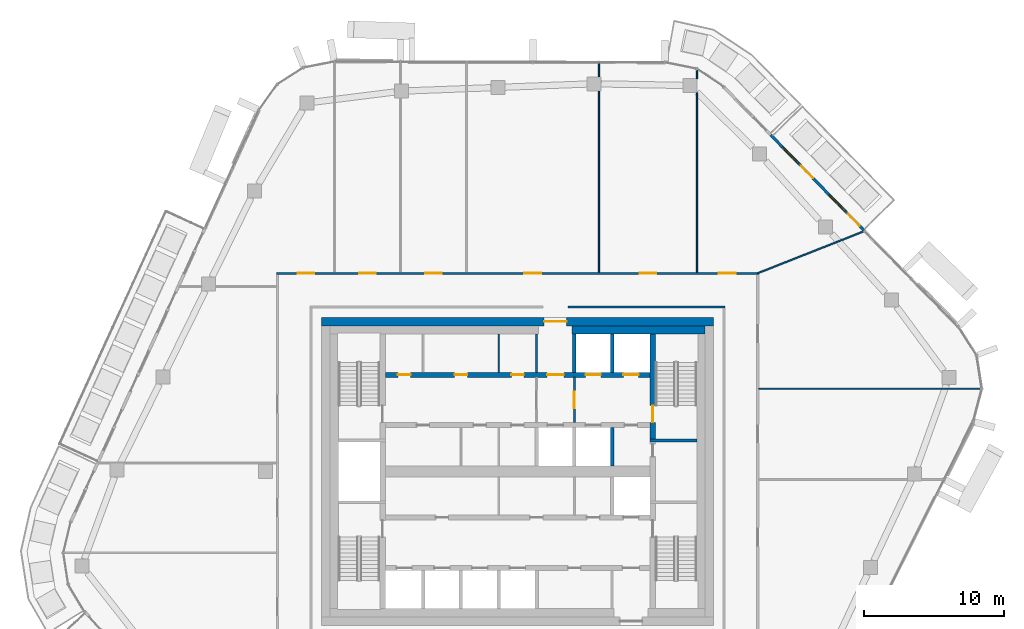
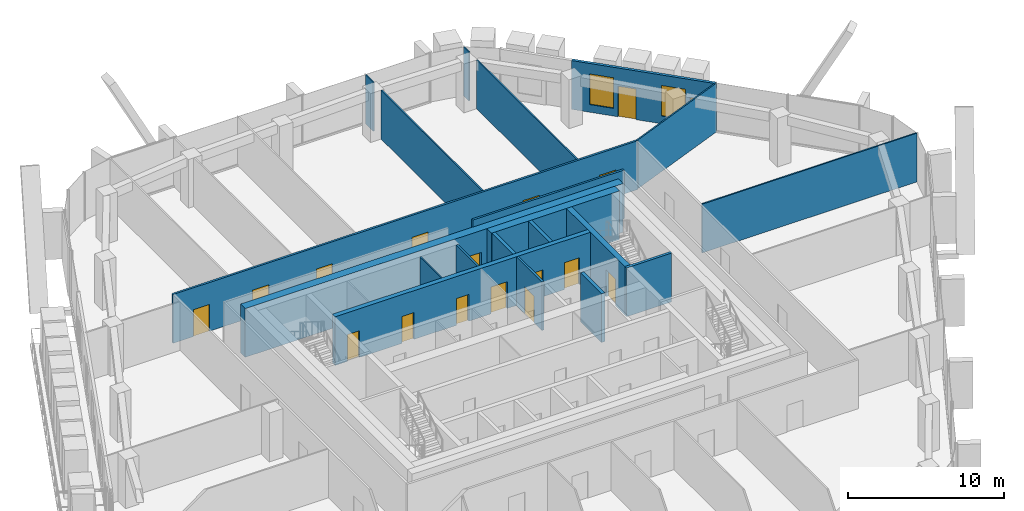
# One storey, part 16 of 24: 20 walls, 17 doors, 2 windows, 19 openings.
"""IFC4 building model written with IfcOpenShell, lengths in metres."""

from ifc_helpers import new_model, si_unit, direction, frame, frame_2d, origin, place, context, subcontext, project, spatial, rectangle, extrude, material, layer, layer_set, type_object, element, fill, save


model = new_model("IFC4")

# Units and contexts
model_context = context("Model", 3, precision=1e-05, world=origin(), true_north=direction((0.0, 1.0)))
body_context = subcontext(model_context, "Body", "Model", "MODEL_VIEW")
ifc_project = project(units=[si_unit("LENGTHUNIT", "METRE"), si_unit("AREAUNIT", "SQUARE_METRE"), si_unit("VOLUMEUNIT", "CUBIC_METRE"), si_unit("PLANEANGLEUNIT", "RADIAN"), si_unit("MASSUNIT", "GRAM", prefix="KILO")], contexts=[model_context])

# Site, building, storey
site_placement = place(None, origin())
site = spatial("IfcSite", under=ifc_project, at=site_placement, CompositionType="ELEMENT")
building_placement = place(site_placement, origin())
building = spatial("IfcBuilding", under=site, at=building_placement, Name="Dongbaek Canopy Tower", CompositionType="ELEMENT")
storey_placement = place(building_placement, frame((0.0, 0.0, 311.0)))
storey = spatial("IfcBuildingStorey", under=building, at=storey_placement, Name="L66", CompositionType="ELEMENT", Elevation=311.0)

# Wall, openings, doors
ifc_material_1 = material(Name="Concrete C60/75", Category="concrete")
ifc_layer_1 = layer(ifc_material_1, 0.35009765625)
ifc_layer_set_1 = layer_set([ifc_layer_1], Name="Core lobby wall 350 Concrete C60/75")
wall_type_1 = type_object("IfcWallType", Name="Core lobby wall 350 Concrete C60/75", PredefinedType="SHEAR", material=ifc_layer_set_1)
wall_1_placement = place(storey_placement, frame((-9.449951171875, 6.89990234375, 0.0), z_axis=(0.0, 0.0, 1.0), x_axis=(1.0, 0.0, 0.0)))
wall_1 = element("IfcWall", 1, at=wall_1_placement, inside=storey, type_object=wall_type_1, Name="Core wall", PredefinedType="SHEAR", context=body_context, shape_type="SweptSolid", body=[
    extrude(rectangle(XDim=18.89990234375, YDim=0.35009765625, at=frame_2d((9.449951171875, 0.0))), origin(), (0.0, 0.0, 1.0), 3.820068359375),
])
opening_1_placement = place(wall_1_placement, frame((11.550048828125, 0.0, 0.0)))
opening_1 = element("IfcOpeningElement", 2, at=opening_1_placement, cuts=wall_1, Name="Opening L66-D021", PredefinedType="OPENING", context=body_context, shape_type="SweptSolid", body=[
    extrude(rectangle(XDim=1.199951171875, YDim=2.10009765625, at=frame_2d((0.60009765625, 1.050048828125))), frame((0.0, 0.18505859375, 0.0), z_axis=(0.0, -1.0, 0.0), x_axis=(1.0, 0.0, 0.0)), (0.0, 0.0, 1.0), 0.3701171875),
])
opening_2_placement = place(wall_1_placement, frame((14.300048828125, 0.0, 0.0)))
opening_2 = element("IfcOpeningElement", 3, at=opening_2_placement, cuts=wall_1, Name="Opening L66-D022", PredefinedType="OPENING", context=body_context, shape_type="SweptSolid", body=[
    extrude(rectangle(XDim=1.10009765625, YDim=2.10009765625, at=frame_2d((0.550048828125, 1.050048828125))), frame((0.0, 0.18505859375, 0.0), z_axis=(0.0, -1.0, 0.0), x_axis=(1.0, 0.0, 0.0)), (0.0, 0.0, 1.0), 0.3701171875),
])
opening_3_placement = place(wall_1_placement, frame((17.0, 0.0, 0.0)))
opening_3 = element("IfcOpeningElement", 4, at=opening_3_placement, cuts=wall_1, Name="Opening L66-D023", PredefinedType="OPENING", context=body_context, shape_type="SweptSolid", body=[
    extrude(rectangle(XDim=1.10009765625, YDim=2.10009765625, at=frame_2d((0.550048828125, 1.050048828125))), frame((0.0, 0.18505859375, 0.0), z_axis=(0.0, -1.0, 0.0), x_axis=(1.0, 0.0, 0.0)), (0.0, 0.0, 1.0), 0.3701171875),
])
opening_4_placement = place(wall_1_placement, frame((0.89990234375, 0.0, 0.0)))
opening_4 = element("IfcOpeningElement", 5, at=opening_4_placement, cuts=wall_1, Name="Opening L66-D034", PredefinedType="OPENING", context=body_context, shape_type="SweptSolid", body=[
    extrude(rectangle(XDim=0.89990234375, YDim=2.10009765625, at=frame_2d((0.449951171875, 1.050048828125))), frame((0.0, 0.18505859375, 0.0), z_axis=(0.0, -1.0, 0.0), x_axis=(1.0, 0.0, 0.0)), (0.0, 0.0, 1.0), 0.3701171875),
])
opening_5_placement = place(wall_1_placement, frame((4.949951171875, 0.0, 0.0)))
opening_5 = element("IfcOpeningElement", 6, at=opening_5_placement, cuts=wall_1, Name="Opening L66-D035", PredefinedType="OPENING", context=body_context, shape_type="SweptSolid", body=[
    extrude(rectangle(XDim=0.89990234375, YDim=2.10009765625, at=frame_2d((0.449951171875, 1.050048828125))), frame((0.0, 0.18505859375, 0.0), z_axis=(0.0, -1.0, 0.0), x_axis=(1.0, 0.0, 0.0)), (0.0, 0.0, 1.0), 0.3701171875),
])
opening_6_placement = place(wall_1_placement, frame((9.0, 0.0, 0.0)))
opening_6 = element("IfcOpeningElement", 7, at=opening_6_placement, cuts=wall_1, Name="Opening L66-D036", PredefinedType="OPENING", context=body_context, shape_type="SweptSolid", body=[
    extrude(rectangle(XDim=0.89990234375, YDim=2.10009765625, at=frame_2d((0.449951171875, 1.050048828125))), frame((0.0, 0.18505859375, 0.0), z_axis=(0.0, -1.0, 0.0), x_axis=(1.0, 0.0, 0.0)), (0.0, 0.0, 1.0), 0.3701171875),
])
ifc_material_2 = material(Name="Steel", Category="steel")
door_type_1 = type_object("IfcDoorType", Name="Core room door 900 x 2100", OperationType="SINGLE_SWING_LEFT", PredefinedType="DOOR", material=ifc_material_2)
door_1_placement = place(opening_4_placement, origin())
door_1 = element("IfcDoor", 8, at=door_1_placement, inside=storey, type_object=door_type_1, Name="Door L66-D034", OperationType="SINGLE_SWING_RIGHT", OverallHeight=2.10009765625, OverallWidth=0.89990234375, PredefinedType="DOOR", context=body_context, shape_type="SweptSolid", body=[
    extrude(rectangle(XDim=0.89990234375, YDim=2.10009765625, at=frame_2d((0.449951171875, 1.050048828125))), frame((0.0, 0.02490234375, 0.0), z_axis=(0.0, -1.0, 0.0), x_axis=(1.0, 0.0, 0.0)), (0.0, 0.0, 1.0), 0.050048828125),
])
fill(opening_4, door_1)
door_2_placement = place(opening_5_placement, origin())
door_2 = element("IfcDoor", 9, at=door_2_placement, inside=storey, type_object=door_type_1, Name="Door L66-D035", OperationType="SINGLE_SWING_LEFT", OverallHeight=2.10009765625, OverallWidth=0.89990234375, PredefinedType="DOOR", context=body_context, shape_type="SweptSolid", body=[
    extrude(rectangle(XDim=0.89990234375, YDim=2.10009765625, at=frame_2d((0.449951171875, 1.050048828125))), frame((0.0, 0.02490234375, 0.0), z_axis=(0.0, -1.0, 0.0), x_axis=(1.0, 0.0, 0.0)), (0.0, 0.0, 1.0), 0.050048828125),
])
fill(opening_5, door_2)
door_3_placement = place(opening_6_placement, origin())
door_3 = element("IfcDoor", 10, at=door_3_placement, inside=storey, type_object=door_type_1, Name="Door L66-D036", OperationType="SINGLE_SWING_RIGHT", OverallHeight=2.10009765625, OverallWidth=0.89990234375, PredefinedType="DOOR", context=body_context, shape_type="SweptSolid", body=[
    extrude(rectangle(XDim=0.89990234375, YDim=2.10009765625, at=frame_2d((0.449951171875, 1.050048828125))), frame((0.0, 0.02490234375, 0.0), z_axis=(0.0, -1.0, 0.0), x_axis=(1.0, 0.0, 0.0)), (0.0, 0.0, 1.0), 0.050048828125),
])
fill(opening_6, door_3)
ifc_material_3 = material(Name="Steel", Category="steel")
door_type_2 = type_object("IfcDoorType", Name="Fire lobby door 1200 x 2100", OperationType="SINGLE_SWING_LEFT", PredefinedType="DOOR", material=ifc_material_3)
door_4_placement = place(opening_1_placement, origin())
door_4 = element("IfcDoor", 11, at=door_4_placement, inside=storey, type_object=door_type_2, Name="Door L66-D021", OperationType="SINGLE_SWING_LEFT", OverallHeight=2.10009765625, OverallWidth=1.199951171875, PredefinedType="DOOR", context=body_context, shape_type="SweptSolid", body=[
    extrude(rectangle(XDim=1.199951171875, YDim=2.10009765625, at=frame_2d((0.60009765625, 1.050048828125))), frame((0.0, 0.02490234375, 0.0), z_axis=(0.0, -1.0, 0.0), x_axis=(1.0, 0.0, 0.0)), (0.0, 0.0, 1.0), 0.050048828125),
])
fill(opening_1, door_4)
ifc_material_4 = material(Name="Stainless steel", Category="steel")
door_type_3 = type_object("IfcDoorType", Name="Lift landing door 1100 x 2100", OperationType="DOUBLE_DOOR_SLIDING", PredefinedType="DOOR", material=ifc_material_4)
door_5_placement = place(opening_2_placement, origin())
door_5 = element("IfcDoor", 12, at=door_5_placement, inside=storey, type_object=door_type_3, Name="Landing door FF1", OperationType="DOUBLE_DOOR_SLIDING", OverallHeight=2.10009765625, OverallWidth=1.10009765625, PredefinedType="DOOR", context=body_context, shape_type="SweptSolid", body=[
    extrude(rectangle(XDim=1.10009765625, YDim=2.10009765625, at=frame_2d((0.550048828125, 1.050048828125))), frame((0.0, 0.02490234375, 0.0), z_axis=(0.0, -1.0, 0.0), x_axis=(1.0, 0.0, 0.0)), (0.0, 0.0, 1.0), 0.050048828125),
])
fill(opening_2, door_5)
door_6_placement = place(opening_3_placement, origin())
door_6 = element("IfcDoor", 13, at=door_6_placement, inside=storey, type_object=door_type_3, Name="Landing door FF2", OperationType="DOUBLE_DOOR_SLIDING", OverallHeight=2.10009765625, OverallWidth=1.10009765625, PredefinedType="DOOR", context=body_context, shape_type="SweptSolid", body=[
    extrude(rectangle(XDim=1.10009765625, YDim=2.10009765625, at=frame_2d((0.550048828125, 1.050048828125))), frame((0.0, 0.02490234375, 0.0), z_axis=(0.0, -1.0, 0.0), x_axis=(1.0, 0.0, 0.0)), (0.0, 0.0, 1.0), 0.050048828125),
])
fill(opening_3, door_6)

# Wall, opening, door
ifc_material_5 = material(Name="Concrete C80/95", Category="concrete")
ifc_layer_2 = layer(ifc_material_5, 0.60009765625)
ifc_layer_set_2 = layer_set([ifc_layer_2], Name="Core outer wall 600 Concrete C80/95")
wall_type_2 = type_object("IfcWallType", Name="Core outer wall 600 Concrete C80/95", PredefinedType="SHEAR", material=ifc_layer_set_2)
wall_2_placement = place(storey_placement, frame((-14.0, 10.699951171875, 0.0), z_axis=(0.0, 0.0, 1.0), x_axis=(1.0, 0.0, 0.0)))
wall_2 = element("IfcWall", 14, at=wall_2_placement, inside=storey, type_object=wall_type_2, Name="Core wall", PredefinedType="SHEAR", context=body_context, shape_type="SweptSolid", body=[
    extrude(rectangle(XDim=28.0, YDim=0.60009765625, at=frame_2d((14.0, 0.0))), origin(), (0.0, 0.0, 1.0), 3.820068359375),
])
opening_7_placement = place(wall_2_placement, frame((15.89990234375, 0.0, 0.0)))
opening_7 = element("IfcOpeningElement", 15, at=opening_7_placement, cuts=wall_2, Name="Opening L66-D020", PredefinedType="OPENING", context=body_context, shape_type="SweptSolid", body=[
    extrude(rectangle(XDim=1.60009765625, YDim=2.10009765625, at=frame_2d((0.800048828125, 1.050048828125))), frame((0.0, 0.31005859375, 0.0), z_axis=(0.0, -1.0, 0.0), x_axis=(1.0, 0.0, 0.0)), (0.0, 0.0, 1.0), 0.6201171875),
])
ifc_material_6 = material(Name="Steel", Category="steel")
door_type_4 = type_object("IfcDoorType", Name="Core exit door 1600 x 2100", OperationType="DOUBLE_DOOR_SINGLE_SWING", PredefinedType="DOOR", material=ifc_material_6)
door_7_placement = place(opening_7_placement, origin())
door_7 = element("IfcDoor", 16, at=door_7_placement, inside=storey, type_object=door_type_4, Name="Core exit door", OperationType="DOUBLE_DOOR_SINGLE_SWING", OverallHeight=2.10009765625, OverallWidth=1.60009765625, PredefinedType="DOOR", context=body_context, shape_type="SweptSolid", body=[
    extrude(rectangle(XDim=1.60009765625, YDim=2.10009765625, at=frame_2d((0.800048828125, 1.050048828125))), frame((0.0, 0.02490234375, 0.0), z_axis=(0.0, -1.0, 0.0), x_axis=(1.0, 0.0, 0.0)), (0.0, 0.0, 1.0), 0.050048828125),
])
fill(opening_7, door_7)

# Walls
ifc_material_7 = material(Name="Concrete C60/75", Category="concrete")
ifc_layer_3 = layer(ifc_material_7, 0.60009765625)
ifc_layer_set_3 = layer_set([ifc_layer_3], Name="Core wall lining 600 Concrete C60/75")
wall_type_3 = type_object("IfcWallType", Name="Core wall lining 600 Concrete C60/75", PredefinedType="SHEAR", material=ifc_layer_set_3)
wall_3_placement = place(storey_placement, frame((3.89990234375, 10.10009765625, 0.0), z_axis=(0.0, 0.0, 1.0), x_axis=(1.0, 0.0, 0.0)))
element("IfcWall", 17, at=wall_3_placement, inside=storey, type_object=wall_type_3, Name="Core wall lining", PredefinedType="SHEAR", context=body_context, shape_type="SweptSolid", body=[
    extrude(rectangle(XDim=9.5, YDim=0.60009765625, at=frame_2d((4.75, 0.0))), origin(), (0.0, 0.0, 1.0), 3.820068359375),
])
ifc_material_8 = material(Name="Gypsum board partition, steel stud, 2 x 15 mm fire board", Category="steel")
ifc_layer_4 = layer(ifc_material_8, 0.14990234375)
ifc_layer_set_4 = layer_set([ifc_layer_4], Name="Fire-rated partition 150 gypsum board")
wall_type_4 = type_object("IfcWallType", Name="Fire-rated partition 150 gypsum board", PredefinedType="PARTITIONING", material=ifc_layer_set_4)
wall_4_placement = place(storey_placement, frame((3.60009765625, 11.75, 0.0), z_axis=(0.0, 0.0, 1.0), x_axis=(1.0, 0.0, 0.0)))
element("IfcWall", 18, at=wall_4_placement, inside=storey, type_object=wall_type_4, Name="Corridor partition", PredefinedType="PARTITIONING", context=body_context, shape_type="SweptSolid", body=[
    extrude(rectangle(XDim=11.224853515625, YDim=0.14990234375, at=frame_2d((5.6123046875, 0.0))), origin(), (0.0, 0.0, 1.0), 3.820068359375),
])

# Wall, openings, doors
wall_5_placement = place(storey_placement, frame((-17.22509765625, 14.14990234375, 0.0), z_axis=(0.0, 0.0, 1.0), x_axis=(1.0, 0.0, 0.0)))
wall_5 = element("IfcWall", 19, at=wall_5_placement, inside=storey, type_object=wall_type_4, Name="Corridor partition", PredefinedType="PARTITIONING", context=body_context, shape_type="SweptSolid", body=[
    extrude(rectangle(XDim=34.4501953125, YDim=0.14990234375, at=frame_2d((17.22509765625, 0.0))), origin(), (0.0, 0.0, 1.0), 3.820068359375),
])
opening_8_placement = place(wall_5_placement, frame((31.60693359375, 0.0, 0.0)))
opening_8 = element("IfcOpeningElement", 20, at=opening_8_placement, cuts=wall_5, Name="Opening L66-D012", PredefinedType="OPENING", context=body_context, shape_type="SweptSolid", body=[
    extrude(rectangle(XDim=1.199951171875, YDim=2.10009765625, at=frame_2d((0.60009765625, 1.050048828125))), frame((0.0, 0.0849609375, 0.0), z_axis=(0.0, -1.0, 0.0), x_axis=(1.0, 0.0, 0.0)), (0.0, 0.0, 1.0), 0.169921875),
])
opening_9_placement = place(wall_5_placement, frame((25.935791015625, 0.0, 0.0)))
opening_9 = element("IfcOpeningElement", 21, at=opening_9_placement, cuts=wall_5, Name="Opening L66-D013", PredefinedType="OPENING", context=body_context, shape_type="SweptSolid", body=[
    extrude(rectangle(XDim=1.199951171875, YDim=2.10009765625, at=frame_2d((0.60009765625, 1.050048828125))), frame((0.0, 0.0849609375, 0.0), z_axis=(0.0, -1.0, 0.0), x_axis=(1.0, 0.0, 0.0)), (0.0, 0.0, 1.0), 0.169921875),
])
opening_10_placement = place(wall_5_placement, frame((17.70654296875, 0.0, 0.0)))
opening_10 = element("IfcOpeningElement", 22, at=opening_10_placement, cuts=wall_5, Name="Opening L66-D014", PredefinedType="OPENING", context=body_context, shape_type="SweptSolid", body=[
    extrude(rectangle(XDim=1.199951171875, YDim=2.10009765625, at=frame_2d((0.60009765625, 1.050048828125))), frame((0.0, 0.0849609375, 0.0), z_axis=(0.0, -1.0, 0.0), x_axis=(1.0, 0.0, 0.0)), (0.0, 0.0, 1.0), 0.169921875),
])
opening_11_placement = place(wall_5_placement, frame((10.6171875, 0.0, 0.0)))
opening_11 = element("IfcOpeningElement", 23, at=opening_11_placement, cuts=wall_5, Name="Opening L66-D015", PredefinedType="OPENING", context=body_context, shape_type="SweptSolid", body=[
    extrude(rectangle(XDim=1.199951171875, YDim=2.10009765625, at=frame_2d((0.60009765625, 1.050048828125))), frame((0.0, 0.0849609375, 0.0), z_axis=(0.0, -1.0, 0.0), x_axis=(1.0, 0.0, 0.0)), (0.0, 0.0, 1.0), 0.169921875),
])
opening_12_placement = place(wall_5_placement, frame((5.89599609375, 0.0, 0.0)))
opening_12 = element("IfcOpeningElement", 24, at=opening_12_placement, cuts=wall_5, Name="Opening L66-D016", PredefinedType="OPENING", context=body_context, shape_type="SweptSolid", body=[
    extrude(rectangle(XDim=1.199951171875, YDim=2.10009765625, at=frame_2d((0.60009765625, 1.050048828125))), frame((0.0, 0.0849609375, 0.0), z_axis=(0.0, -1.0, 0.0), x_axis=(1.0, 0.0, 0.0)), (0.0, 0.0, 1.0), 0.169921875),
])
opening_13_placement = place(wall_5_placement, frame((1.50634765625, 0.0, 0.0)))
opening_13 = element("IfcOpeningElement", 25, at=opening_13_placement, cuts=wall_5, Name="Opening L66-D017", PredefinedType="OPENING", context=body_context, shape_type="SweptSolid", body=[
    extrude(rectangle(XDim=1.199951171875, YDim=2.10009765625, at=frame_2d((0.60009765625, 1.050048828125))), frame((0.0, 0.0849609375, 0.0), z_axis=(0.0, -1.0, 0.0), x_axis=(1.0, 0.0, 0.0)), (0.0, 0.0, 1.0), 0.169921875),
])
ifc_material_9 = material(Name="Timber veneered door leaf", Category="wood")
door_type_5 = type_object("IfcDoorType", Name="Room door 1200 x 2100", OperationType="SINGLE_SWING_LEFT", PredefinedType="DOOR", material=ifc_material_9)
door_8_placement = place(opening_8_placement, origin())
door_8 = element("IfcDoor", 26, at=door_8_placement, inside=storey, type_object=door_type_5, Name="Door L66-D012", OperationType="SINGLE_SWING_LEFT", OverallHeight=2.10009765625, OverallWidth=1.199951171875, PredefinedType="DOOR", context=body_context, shape_type="SweptSolid", body=[
    extrude(rectangle(XDim=1.199951171875, YDim=2.10009765625, at=frame_2d((0.60009765625, 1.050048828125))), frame((0.0, 0.02490234375, 0.0), z_axis=(0.0, -1.0, 0.0), x_axis=(1.0, 0.0, 0.0)), (0.0, 0.0, 1.0), 0.050048828125),
])
fill(opening_8, door_8)
door_9_placement = place(opening_9_placement, origin())
door_9 = element("IfcDoor", 27, at=door_9_placement, inside=storey, type_object=door_type_5, Name="Door L66-D013", OperationType="SINGLE_SWING_RIGHT", OverallHeight=2.10009765625, OverallWidth=1.199951171875, PredefinedType="DOOR", context=body_context, shape_type="SweptSolid", body=[
    extrude(rectangle(XDim=1.199951171875, YDim=2.10009765625, at=frame_2d((0.60009765625, 1.050048828125))), frame((0.0, 0.02490234375, 0.0), z_axis=(0.0, -1.0, 0.0), x_axis=(1.0, 0.0, 0.0)), (0.0, 0.0, 1.0), 0.050048828125),
])
fill(opening_9, door_9)
door_10_placement = place(opening_10_placement, origin())
door_10 = element("IfcDoor", 28, at=door_10_placement, inside=storey, type_object=door_type_5, Name="Door L66-D014", OperationType="SINGLE_SWING_LEFT", OverallHeight=2.10009765625, OverallWidth=1.199951171875, PredefinedType="DOOR", context=body_context, shape_type="SweptSolid", body=[
    extrude(rectangle(XDim=1.199951171875, YDim=2.10009765625, at=frame_2d((0.60009765625, 1.050048828125))), frame((0.0, 0.02490234375, 0.0), z_axis=(0.0, -1.0, 0.0), x_axis=(1.0, 0.0, 0.0)), (0.0, 0.0, 1.0), 0.050048828125),
])
fill(opening_10, door_10)
door_11_placement = place(opening_11_placement, origin())
door_11 = element("IfcDoor", 29, at=door_11_placement, inside=storey, type_object=door_type_5, Name="Door L66-D015", OperationType="SINGLE_SWING_RIGHT", OverallHeight=2.10009765625, OverallWidth=1.199951171875, PredefinedType="DOOR", context=body_context, shape_type="SweptSolid", body=[
    extrude(rectangle(XDim=1.199951171875, YDim=2.10009765625, at=frame_2d((0.60009765625, 1.050048828125))), frame((0.0, 0.02490234375, 0.0), z_axis=(0.0, -1.0, 0.0), x_axis=(1.0, 0.0, 0.0)), (0.0, 0.0, 1.0), 0.050048828125),
])
fill(opening_11, door_11)
door_12_placement = place(opening_12_placement, origin())
door_12 = element("IfcDoor", 30, at=door_12_placement, inside=storey, type_object=door_type_5, Name="Door L66-D016", OperationType="SINGLE_SWING_LEFT", OverallHeight=2.10009765625, OverallWidth=1.199951171875, PredefinedType="DOOR", context=body_context, shape_type="SweptSolid", body=[
    extrude(rectangle(XDim=1.199951171875, YDim=2.10009765625, at=frame_2d((0.60009765625, 1.050048828125))), frame((0.0, 0.02490234375, 0.0), z_axis=(0.0, -1.0, 0.0), x_axis=(1.0, 0.0, 0.0)), (0.0, 0.0, 1.0), 0.050048828125),
])
fill(opening_12, door_12)
door_13_placement = place(opening_13_placement, origin())
door_13 = element("IfcDoor", 31, at=door_13_placement, inside=storey, type_object=door_type_5, Name="Door L66-D017", OperationType="SINGLE_SWING_RIGHT", OverallHeight=2.10009765625, OverallWidth=1.199951171875, PredefinedType="DOOR", context=body_context, shape_type="SweptSolid", body=[
    extrude(rectangle(XDim=1.199951171875, YDim=2.10009765625, at=frame_2d((0.60009765625, 1.050048828125))), frame((0.0, 0.02490234375, 0.0), z_axis=(0.0, -1.0, 0.0), x_axis=(1.0, 0.0, 0.0)), (0.0, 0.0, 1.0), 0.050048828125),
])
fill(opening_13, door_13)

# Wall, opening, door
wall_6_placement = place(storey_placement, frame((4.050048828125, 6.72509765625, 0.0), z_axis=(0.0, 0.0, 1.0), x_axis=(0.0, -1.0, 0.0)))
wall_6 = element("IfcWall", 32, at=wall_6_placement, inside=storey, type_object=wall_type_4, Name="Fire lobby partition", PredefinedType="PARTITIONING", context=body_context, shape_type="SweptSolid", body=[
    extrude(rectangle(XDim=3.25, YDim=0.14990234375, at=frame_2d((1.625, 0.0))), origin(), (0.0, 0.0, 1.0), 3.820068359375),
])
opening_14_placement = place(wall_6_placement, frame((1.02490234375, 0.0, 0.0)))
opening_14 = element("IfcOpeningElement", 33, at=opening_14_placement, cuts=wall_6, Name="Opening L66-D049", PredefinedType="OPENING", context=body_context, shape_type="SweptSolid", body=[
    extrude(rectangle(XDim=1.199951171875, YDim=2.10009765625, at=frame_2d((0.60009765625, 1.050048828125))), frame((0.0, 0.0849609375, 0.0), z_axis=(0.0, -1.0, 0.0), x_axis=(1.0, 0.0, 0.0)), (0.0, 0.0, 1.0), 0.169921875),
])
door_14_placement = place(opening_14_placement, origin())
door_14 = element("IfcDoor", 34, at=door_14_placement, inside=storey, type_object=door_type_2, Name="Door L66-D049", OperationType="SINGLE_SWING_RIGHT", OverallHeight=2.10009765625, OverallWidth=1.199951171875, PredefinedType="DOOR", context=body_context, shape_type="SweptSolid", body=[
    extrude(rectangle(XDim=1.199951171875, YDim=2.10009765625, at=frame_2d((0.60009765625, 1.050048828125))), frame((0.0, 0.02490234375, 0.0), z_axis=(0.0, -1.0, 0.0), x_axis=(1.0, 0.0, 0.0)), (0.0, 0.0, 1.0), 0.050048828125),
])
fill(opening_14, door_14)

# Walls
wall_7_placement = place(storey_placement, frame((1.35009765625, 7.074951171875, 0.0), z_axis=(0.0, 0.0, 1.0), x_axis=(0.0, 1.0, 0.0)))
element("IfcWall", 35, at=wall_7_placement, inside=storey, type_object=wall_type_4, Name="Fire lobby partition", PredefinedType="PARTITIONING", context=body_context, shape_type="SweptSolid", body=[
    extrude(rectangle(XDim=2.72509765625, YDim=0.14990234375, at=frame_2d((1.362548828125, 0.0))), origin(), (0.0, 0.0, 1.0), 3.820068359375),
])
ifc_material_10 = material(Name="Concrete C40/50", Category="concrete")
ifc_layer_5 = layer(ifc_material_10, 0.25)
ifc_layer_set_5 = layer_set([ifc_layer_5], Name="Lift shaft wall 250 Concrete C40/50")
wall_type_5 = type_object("IfcWallType", Name="Lift shaft wall 250 Concrete C40/50", PredefinedType="SOLIDWALL", material=ifc_layer_set_5)
for number, where, z_axis, x_axis, name in (
    (36, (6.75, 0.39990234375, 0.0), (0.0, 0.0, 1.0), (0.0, 1.0, 0.0), "Lift shaft wall"),
    (37, (6.75, 7.074951171875, 0.0), (0.0, 0.0, 1.0), (0.0, 1.0, 0.0), "Lift shaft wall"),
    (38, (4.050048828125, 7.074951171875, 0.0), (0.0, 0.0, 1.0), (0.0, 1.0, 0.0), "Lift shaft wall"),
):
    element("IfcWall", number, at=place(storey_placement, frame(where, z_axis=z_axis, x_axis=x_axis)), inside=storey, type_object=wall_type_5, Name=name, PredefinedType="SOLIDWALL", context=body_context, shape_type="SweptSolid", body=[
        extrude(rectangle(XDim=2.72509765625, YDim=0.25, at=frame_2d((1.362548828125, 0.0))), origin(), (0.0, 0.0, 1.0), 3.820068359375),
    ])
ifc_material_11 = material(Name="Gypsum board partition, steel stud, 2 x 12.5 mm board", Category="steel")
ifc_layer_6 = layer(ifc_material_11, 0.10009765625)
ifc_layer_set_6 = layer_set([ifc_layer_6], Name="Partition 100 gypsum board")
wall_type_6 = type_object("IfcWallType", Name="Partition 100 gypsum board", PredefinedType="PARTITIONING", material=ifc_layer_set_6)
wall_8_placement = place(storey_placement, frame((17.22509765625, 5.90087890625, 0.0), z_axis=(0.0, 0.0, 1.0), x_axis=(1.0, 0.0, 0.0)))
element("IfcWall", 39, at=wall_8_placement, inside=storey, type_object=wall_type_6, Name="Partition", PredefinedType="PARTITIONING", context=body_context, shape_type="SweptSolid", body=[
    extrude(rectangle(XDim=15.905029296875, YDim=0.10009765625, at=frame_2d((7.95263671875, 0.0))), origin(), (0.0, 0.0, 1.0), 3.820068359375),
])
wall_9_placement = place(storey_placement, frame((17.14990234375, 14.150146484375, 0.0), z_axis=(0.0, 0.0, 1.0), x_axis=(0.92958283513, 0.368613283308, 0.0)))
element("IfcWall", 40, at=wall_9_placement, inside=storey, type_object=wall_type_6, Name="Partition", PredefinedType="PARTITIONING", context=body_context, shape_type="SweptSolid", body=[
    extrude(rectangle(XDim=8.18896484375, YDim=0.10009765625, at=frame_2d((4.094482421875, 0.0))), origin(), (0.0, 0.0, 1.0), 3.820068359375),
])
wall_10_placement = place(storey_placement, frame((12.81396484375, 14.22509765625, 0.0), z_axis=(0.0, 0.0, 1.0), x_axis=(0.0, 1.0, 0.0)))
element("IfcWall", 41, at=wall_10_placement, inside=storey, type_object=wall_type_6, Name="Partition", PredefinedType="PARTITIONING", context=body_context, shape_type="SweptSolid", body=[
    extrude(rectangle(XDim=12.837890625, YDim=0.10009765625, at=frame_2d((6.4189453125, 0.0))), origin(), (0.0, 0.0, 1.0), 3.820068359375),
])
wall_11_placement = place(storey_placement, frame((12.81396484375, 28.06298828125, 0.0), z_axis=(0.0, 0.0, 1.0), x_axis=(0.0, 1.0, 0.0)))
element("IfcWall", 42, at=wall_11_placement, inside=storey, type_object=wall_type_6, Name="Partition", PredefinedType="PARTITIONING", context=body_context, shape_type="SweptSolid", body=[
    extrude(rectangle(XDim=0.66357421875, YDim=0.10009765625, at=frame_2d((0.331787109375, 0.0))), origin(), (0.0, 0.0, 1.0), 3.820068359375),
])
wall_12_placement = place(storey_placement, frame((5.80810546875, 14.22509765625, 0.0), z_axis=(0.0, 0.0, 1.0), x_axis=(0.0, 1.0, 0.0)))
element("IfcWall", 43, at=wall_12_placement, inside=storey, type_object=wall_type_6, Name="Partition", PredefinedType="PARTITIONING", context=body_context, shape_type="SweptSolid", body=[
    extrude(rectangle(XDim=12.966796875, YDim=0.10009765625, at=frame_2d((6.4833984375, 0.0))), origin(), (0.0, 0.0, 1.0), 3.820068359375),
])
wall_13_placement = place(storey_placement, frame((5.80810546875, 28.19189453125, 0.0), z_axis=(0.0, 0.0, 1.0), x_axis=(0.0, 1.0, 0.0)))
element("IfcWall", 44, at=wall_13_placement, inside=storey, type_object=wall_type_6, Name="Partition", PredefinedType="PARTITIONING", context=body_context, shape_type="SweptSolid", body=[
    extrude(rectangle(XDim=1.014892578125, YDim=0.10009765625, at=frame_2d((0.50732421875, 0.0))), origin(), (0.0, 0.0, 1.0), 3.820068359375),
])
wall_14_placement = place(storey_placement, frame((-1.35009765625, 7.074951171875, 0.0), z_axis=(0.0, 0.0, 1.0), x_axis=(0.0, 1.0, 0.0)))
element("IfcWall", 45, at=wall_14_placement, inside=storey, type_object=wall_type_6, Name="Core partition", PredefinedType="PARTITIONING", context=body_context, shape_type="SweptSolid", body=[
    extrude(rectangle(XDim=2.72509765625, YDim=0.10009765625, at=frame_2d((1.362548828125, 0.0))), origin(), (0.0, 0.0, 1.0), 3.820068359375),
])
ifc_material_12 = material(Name="Concrete C60/75", Category="concrete")
ifc_layer_7 = layer(ifc_material_12, 0.199951171875)
ifc_layer_set_7 = layer_set([ifc_layer_7], Name="Riser wall 200 Concrete C60/75")
wall_type_7 = type_object("IfcWallType", Name="Riser wall 200 Concrete C60/75", PredefinedType="SHEAR", material=ifc_layer_set_7)
wall_15_placement = place(storey_placement, frame((9.449951171875, 2.199951171875, 0.0), z_axis=(0.0, 0.0, 1.0), x_axis=(1.0, 0.0, 0.0)))
element("IfcWall", 46, at=wall_15_placement, inside=storey, type_object=wall_type_7, Name="Riser wall", PredefinedType="SHEAR", context=body_context, shape_type="SweptSolid", body=[
    extrude(rectangle(XDim=3.35009765625, YDim=0.199951171875, at=frame_2d((1.675048828125, 0.0))), origin(), (0.0, 0.0, 1.0), 3.820068359375),
])

# Wall, opening, door
ifc_material_13 = material(Name="Concrete C60/75", Category="concrete")
ifc_layer_8 = layer(ifc_material_13, 0.39990234375)
ifc_layer_set_8 = layer_set([ifc_layer_8], Name="Stair wall 400 Concrete C60/75")
wall_type_8 = type_object("IfcWallType", Name="Stair wall 400 Concrete C60/75", PredefinedType="SHEAR", material=ifc_layer_set_8)
wall_16_placement = place(storey_placement, frame((9.64990234375, 9.800048828125, 0.0), z_axis=(0.0, 0.0, 1.0), x_axis=(0.0, -1.0, 0.0)))
wall_16 = element("IfcWall", 47, at=wall_16_placement, inside=storey, type_object=wall_type_8, Name="Stair wall", PredefinedType="SHEAR", context=body_context, shape_type="SweptSolid", body=[
    extrude(rectangle(XDim=7.5, YDim=0.39990234375, at=frame_2d((3.75, 0.0))), origin(), (0.0, 0.0, 1.0), 3.820068359375),
])
opening_15_placement = place(wall_16_placement, frame((5.10009765625, 0.0, 0.0)))
opening_15 = element("IfcOpeningElement", 48, at=opening_15_placement, cuts=wall_16, Name="Opening L66-D044", PredefinedType="OPENING", context=body_context, shape_type="SweptSolid", body=[
    extrude(rectangle(XDim=1.199951171875, YDim=2.10009765625, at=frame_2d((0.60009765625, 1.050048828125))), frame((0.0, 0.2099609375, 0.0), z_axis=(0.0, -1.0, 0.0), x_axis=(1.0, 0.0, 0.0)), (0.0, 0.0, 1.0), 0.419921875),
])
ifc_material_14 = material(Name="Steel", Category="steel")
door_type_6 = type_object("IfcDoorType", Name="Stair door 1200 x 2100", OperationType="SINGLE_SWING_LEFT", PredefinedType="DOOR", material=ifc_material_14)
door_15_placement = place(opening_15_placement, origin())
door_15 = element("IfcDoor", 49, at=door_15_placement, inside=storey, type_object=door_type_6, Name="Stair A door", OperationType="SINGLE_SWING_LEFT", OverallHeight=2.10009765625, OverallWidth=1.199951171875, PredefinedType="DOOR", context=body_context, shape_type="SweptSolid", body=[
    extrude(rectangle(XDim=1.199951171875, YDim=2.10009765625, at=frame_2d((0.60009765625, 1.050048828125))), frame((0.0, 0.02490234375, 0.0), z_axis=(0.0, -1.0, 0.0), x_axis=(1.0, 0.0, 0.0)), (0.0, 0.0, 1.0), 0.050048828125),
])
fill(opening_15, door_15)

# Wall, openings, doors, windows
ifc_material_15 = material(Name="Aluminium window wall", Category="aluminium")
ifc_layer_9 = layer(ifc_material_15, 0.199951171875)
ifc_layer_set_9 = layer_set([ifc_layer_9], Name="Window wall 200")
wall_type_9 = type_object("IfcWallType", Name="Window wall 200", PredefinedType="SOLIDWALL", material=ifc_layer_set_9)
wall_17_placement = place(storey_placement, frame((24.7822265625, 17.17724609375, 0.0), z_axis=(0.0, 0.0, 1.0), x_axis=(-0.699351369698, 0.714778050657, 0.0)))
wall_17 = element("IfcWall", 50, at=wall_17_placement, inside=storey, type_object=wall_type_9, Name="Window wall L66 1", PredefinedType="SOLIDWALL", context=body_context, shape_type="SweptSolid", body=[
    extrude(rectangle(XDim=9.57470703125, YDim=0.199951171875, at=frame_2d((4.787353515625, 0.0))), origin(), (0.0, 0.0, 1.0), 3.820068359375),
])
opening_16_placement = place(wall_17_placement, frame((2.0, 0.0, 0.60009765625)))
opening_16 = element("IfcOpeningElement", 51, at=opening_16_placement, cuts=wall_17, Name="Opening W1", PredefinedType="OPENING", context=body_context, shape_type="SweptSolid", body=[
    extrude(rectangle(XDim=1.60009765625, YDim=2.39990234375, at=frame_2d((0.800048828125, 1.199951171875))), frame((0.0, 0.10986328125, 0.0), z_axis=(0.0, -1.0, 0.0), x_axis=(1.0, 0.0, 0.0)), (0.0, 0.0, 1.0), 0.219970703125),
])
opening_17_placement = place(wall_17_placement, frame((0.5, 0.0, 0.0)))
opening_17 = element("IfcOpeningElement", 52, at=opening_17_placement, cuts=wall_17, Name="Opening L66-B01", PredefinedType="OPENING", context=body_context, shape_type="SweptSolid", body=[
    extrude(rectangle(XDim=1.199951171875, YDim=2.39990234375, at=frame_2d((0.60009765625, 1.199951171875))), frame((0.0, 0.10986328125, 0.0), z_axis=(0.0, -1.0, 0.0), x_axis=(1.0, 0.0, 0.0)), (0.0, 0.0, 1.0), 0.219970703125),
])
opening_18_placement = place(wall_17_placement, frame((6.787353515625, 0.0, 0.60009765625)))
opening_18 = element("IfcOpeningElement", 53, at=opening_18_placement, cuts=wall_17, Name="Opening W1", PredefinedType="OPENING", context=body_context, shape_type="SweptSolid", body=[
    extrude(rectangle(XDim=1.60009765625, YDim=2.39990234375, at=frame_2d((0.800048828125, 1.199951171875))), frame((0.0, 0.10986328125, 0.0), z_axis=(0.0, -1.0, 0.0), x_axis=(1.0, 0.0, 0.0)), (0.0, 0.0, 1.0), 0.219970703125),
])
opening_19_placement = place(wall_17_placement, frame((5.287353515625, 0.0, 0.0)))
opening_19 = element("IfcOpeningElement", 54, at=opening_19_placement, cuts=wall_17, Name="Opening L66-B02", PredefinedType="OPENING", context=body_context, shape_type="SweptSolid", body=[
    extrude(rectangle(XDim=1.199951171875, YDim=2.39990234375, at=frame_2d((0.60009765625, 1.199951171875))), frame((0.0, 0.10986328125, 0.0), z_axis=(0.0, -1.0, 0.0), x_axis=(1.0, 0.0, 0.0)), (0.0, 0.0, 1.0), 0.219970703125),
])
ifc_material_16 = material(Name="Clear glazing in aluminium frame", Category="aluminium")
door_type_7 = type_object("IfcDoorType", Name="Balcony door BD1 1200 x 2400", OperationType="SLIDING_TO_LEFT", PredefinedType="DOOR", material=ifc_material_16)
door_16_placement = place(opening_17_placement, origin())
door_16 = element("IfcDoor", 55, at=door_16_placement, inside=storey, type_object=door_type_7, Name="Balcony door L66-B01", OperationType="SLIDING_TO_LEFT", OverallHeight=2.39990234375, OverallWidth=1.199951171875, PredefinedType="DOOR", context=body_context, shape_type="SweptSolid", body=[
    extrude(rectangle(XDim=1.199951171875, YDim=2.39990234375, at=frame_2d((0.60009765625, 1.199951171875))), frame((0.0, 0.02490234375, 0.0), z_axis=(0.0, -1.0, 0.0), x_axis=(1.0, 0.0, 0.0)), (0.0, 0.0, 1.0), 0.050048828125),
])
fill(opening_17, door_16)
door_17_placement = place(opening_19_placement, origin())
door_17 = element("IfcDoor", 56, at=door_17_placement, inside=storey, type_object=door_type_7, Name="Balcony door L66-B02", OperationType="SLIDING_TO_LEFT", OverallHeight=2.39990234375, OverallWidth=1.199951171875, PredefinedType="DOOR", context=body_context, shape_type="SweptSolid", body=[
    extrude(rectangle(XDim=1.199951171875, YDim=2.39990234375, at=frame_2d((0.60009765625, 1.199951171875))), frame((0.0, 0.02490234375, 0.0), z_axis=(0.0, -1.0, 0.0), x_axis=(1.0, 0.0, 0.0)), (0.0, 0.0, 1.0), 0.050048828125),
])
fill(opening_19, door_17)
ifc_material_17 = material(Name="Clear glazing in aluminium frame", Category="aluminium")
window_type = type_object("IfcWindowType", Name="Window W1 1600 x 2400", PartitioningType="SINGLE_PANEL", PredefinedType="WINDOW", material=ifc_material_17)
window_1_placement = place(opening_16_placement, origin())
window_1 = element("IfcWindow", 57, at=window_1_placement, inside=storey, type_object=window_type, Name="Window L66 1.1", OverallHeight=2.39990234375, OverallWidth=1.60009765625, PartitioningType="SINGLE_PANEL", PredefinedType="WINDOW", context=body_context, shape_type="SweptSolid", body=[
    extrude(rectangle(XDim=1.60009765625, YDim=2.39990234375, at=frame_2d((0.800048828125, 1.199951171875))), frame((0.0, 0.030029296875, 0.0), z_axis=(0.0, -1.0, 0.0), x_axis=(1.0, 0.0, 0.0)), (0.0, 0.0, 1.0), 0.06005859375),
])
fill(opening_16, window_1)
window_2_placement = place(opening_18_placement, origin())
window_2 = element("IfcWindow", 58, at=window_2_placement, inside=storey, type_object=window_type, Name="Window L66 1.2", OverallHeight=2.39990234375, OverallWidth=1.60009765625, PartitioningType="SINGLE_PANEL", PredefinedType="WINDOW", context=body_context, shape_type="SweptSolid", body=[
    extrude(rectangle(XDim=1.60009765625, YDim=2.39990234375, at=frame_2d((0.800048828125, 1.199951171875))), frame((0.0, 0.030029296875, 0.0), z_axis=(0.0, -1.0, 0.0), x_axis=(1.0, 0.0, 0.0)), (0.0, 0.0, 1.0), 0.06005859375),
])
fill(opening_18, window_2)

save(model, "model.ifc")
